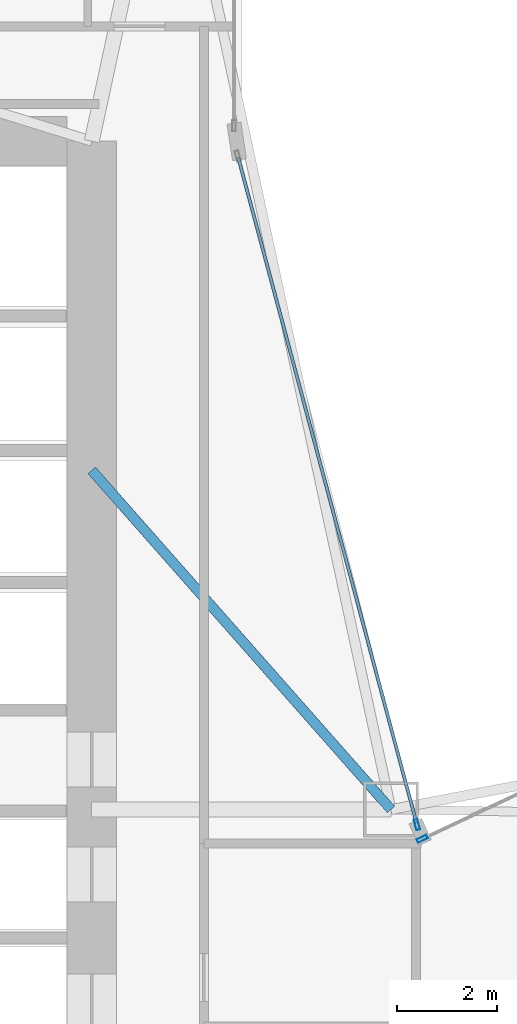
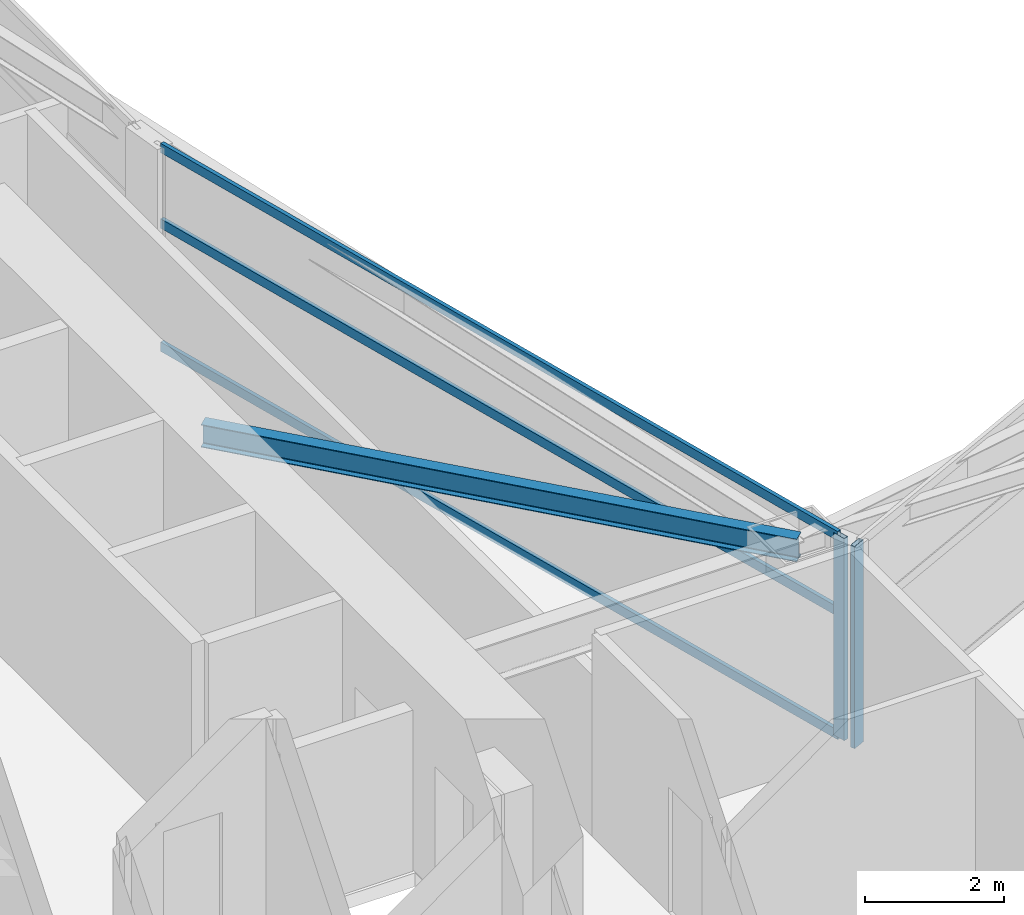
# One storey, part 10 of 30: 5 members, 1 beam, 2 elements without a shape of their own.
"""IFC4 building model written with IfcOpenShell, lengths in metres."""

from ifc_helpers import new_model, si_unit, direction, frame, origin, origin_2d, place, context, subcontext, project, spatial, hollow_rectangle, i_section, extrude, material, layer, layer_set, material_profile, profile_set, type_object, element, aggregate, save


model = new_model("IFC4")

# Units and contexts
model_context = context("Model", 3, precision=1e-05, world=origin(), true_north=direction((0.0, 1.0)))
body_context = subcontext(model_context, "Body", "Model", "MODEL_VIEW")
ifc_project = project(units=[si_unit("LENGTHUNIT", "METRE"), si_unit("AREAUNIT", "SQUARE_METRE"), si_unit("VOLUMEUNIT", "CUBIC_METRE"), si_unit("PLANEANGLEUNIT", "RADIAN"), si_unit("MASSUNIT", "GRAM", prefix="KILO")], contexts=[model_context])

# Site, building, storey
site_placement = place(None, origin())
site = spatial("IfcSite", under=ifc_project, at=site_placement, CompositionType="ELEMENT")
building_placement = place(site_placement, origin())
building = spatial("IfcBuilding", under=site, at=building_placement, Name="Calvorn Quay Hotel", CompositionType="ELEMENT")
storey_placement = place(building_placement, frame((0.0, 0.0, 27.0)))
storey = spatial("IfcBuildingStorey", under=building, at=storey_placement, Name="L05", CompositionType="ELEMENT", Elevation=27.0)

# Beam
ifc_material_1 = material(Name="Steel Q355B", Category="steel")
ifc_material_profile_1 = material_profile(ifc_material_1, i_section(OverallWidth=0.199951171875, OverallDepth=0.39990234375, WebThickness=0.008056640625, FlangeThickness=0.012939453125, FilletRadius=0.01611328125, at=origin_2d()), Name="HN400x200x8x13")
ifc_profile_set_1 = profile_set([ifc_material_profile_1], Name="Steel Q355B")
beam_type = type_object("IfcBeamType", Name="BM-JOIST-TYP", PredefinedType="JOIST", material=ifc_profile_set_1)
beam_placement = place(storey_placement, frame((15.0, 31.800048828125, 3.340087890625), z_axis=(0.661618965899, -0.749840212287, 0.0), x_axis=(0.749840212287, 0.661618965899, 0.0)))
element("IfcBeam", 1, at=beam_placement, inside=storey, type_object=beam_type, Name="Beam BJ-L05-C1", PredefinedType="JOIST", context=body_context, shape_type="SweptSolid", body=[
    extrude(i_section(OverallWidth=0.199951171875, OverallDepth=0.39990234375, WebThickness=0.008056640625, FlangeThickness=0.012939453125, FilletRadius=0.01611328125, at=origin_2d()), origin(), (0.0, 0.0, 1.0), 9.068603515625),
])

# Curtain wall, member
ifc_material_2 = material(Name="Pale Anodised Aluminium and Low-E Glass", Category="aluminium")
ifc_layer = layer(ifc_material_2, 0.219970703125)
ifc_layer_set = layer_set([ifc_layer], Name="CW-SYS-Z1")
curtain_wall_type = type_object("IfcCurtainWallType", Name="CW-SYS-Z1", PredefinedType="NOTDEFINED", material=ifc_layer_set)
curtain_wall_1_placement = place(storey_placement, origin())
curtain_wall_1 = element("IfcCurtainWall", 2, at=curtain_wall_1_placement, inside=storey, type_object=curtain_wall_type, Name="Inner Court Curtain Wall L05-NE1", PredefinedType="NOTDEFINED")
ifc_material_3 = material(Name="Pale Anodised Aluminium 6063-T6", Category="aluminium")
ifc_material_profile_2 = material_profile(ifc_material_3, hollow_rectangle(XDim=0.074951171875, YDim=0.219970703125, WallThickness=0.00439453125, at=origin_2d()), Name="ALU-M220x75x4.5")
ifc_profile_set_2 = profile_set([ifc_material_profile_2], Name="Pale Anodised Aluminium 6063-T6")
member_type_1 = type_object("IfcMemberType", Name="CW-SYS-Z1-MUL", PredefinedType="MULLION", material=ifc_profile_set_2)
member_1_placement = place(storey_placement, frame((21.627197265625, 24.412841796875, 0.0), z_axis=(0.0, 0.0, 1.0), x_axis=(0.427006305415, -0.904248646743, 0.0)))
member_1 = element("IfcMember", 3, at=member_1_placement, type_object=member_type_1, Name="CW-L05-NE1 mullion 4", PredefinedType="MULLION", context=body_context, shape_type="SweptSolid", body=[
    extrude(hollow_rectangle(XDim=0.074951171875, YDim=0.219970703125, WallThickness=0.00439453125, at=origin_2d()), origin(), (0.0, 0.0, 1.0), 3.56005859375),
])
aggregate(curtain_wall_1, [member_1])

# Curtain wall, members
curtain_wall_2_placement = place(storey_placement, origin())
curtain_wall_2 = element("IfcCurtainWall", 4, at=curtain_wall_2_placement, inside=storey, type_object=curtain_wall_type, Name="Inner Court Curtain Wall L05-IC1", PredefinedType="NOTDEFINED")
member_2_placement = place(storey_placement, frame((21.520263671875, 24.698974609375, 0.0), z_axis=(0.0, 0.0, 1.0), x_axis=(-0.96593652056, -0.25877913024, 0.0)))
member_2 = element("IfcMember", 5, at=member_2_placement, type_object=member_type_1, Name="CW-L05-IC1 mullion 1", PredefinedType="MULLION", context=body_context, shape_type="SweptSolid", body=[
    extrude(hollow_rectangle(XDim=0.074951171875, YDim=0.219970703125, WallThickness=0.00439453125, at=origin_2d()), origin(), (0.0, 0.0, 1.0), 3.56005859375),
])
ifc_material_4 = material(Name="Pale Anodised Aluminium 6063-T6", Category="aluminium")
ifc_material_profile_3 = material_profile(ifc_material_4, hollow_rectangle(XDim=0.06494140625, YDim=0.1650390625, WallThickness=0.00341796875, at=origin_2d()), Name="ALU-T165x65x3.5")
ifc_profile_set_3 = profile_set([ifc_material_profile_3], Name="Pale Anodised Aluminium 6063-T6")
member_type_2 = type_object("IfcMemberType", Name="CW-SYS-Z1-TRN", PredefinedType="USERDEFINED", material=ifc_profile_set_3)
member_3_placement = place(storey_placement, frame((21.512451171875, 24.72802734375, 0.030029296875), z_axis=(-0.258781136883, 0.965935982969, 0.0), x_axis=(-0.965935982969, -0.258781136883, 0.0)))
member_3 = element("IfcMember", 6, at=member_3_placement, type_object=member_type_2, Name="CW-L05-IC1 transom 1.1", ObjectType="TRANSOM", PredefinedType="USERDEFINED", context=body_context, shape_type="SweptSolid", body=[
    extrude(hollow_rectangle(XDim=0.06494140625, YDim=0.1650390625, WallThickness=0.00341796875, at=origin_2d()), origin(), (0.0, 0.0, 1.0), 13.814453125),
])
member_4_placement = place(storey_placement, frame((21.512451171875, 24.72802734375, 2.199951171875), z_axis=(-0.258781136883, 0.965935982969, 0.0), x_axis=(-0.965935982969, -0.258781136883, 0.0)))
member_4 = element("IfcMember", 7, at=member_4_placement, type_object=member_type_2, Name="CW-L05-IC1 transom 1.2", ObjectType="TRANSOM", PredefinedType="USERDEFINED", context=body_context, shape_type="SweptSolid", body=[
    extrude(hollow_rectangle(XDim=0.06494140625, YDim=0.1650390625, WallThickness=0.00341796875, at=origin_2d()), origin(), (0.0, 0.0, 1.0), 13.814453125),
])
member_5_placement = place(storey_placement, frame((21.512451171875, 24.72802734375, 3.530029296875), z_axis=(-0.258781136883, 0.965935982969, 0.0), x_axis=(-0.965935982969, -0.258781136883, 0.0)))
member_5 = element("IfcMember", 8, at=member_5_placement, type_object=member_type_2, Name="CW-L05-IC1 transom 1.3", ObjectType="TRANSOM", PredefinedType="USERDEFINED", context=body_context, shape_type="SweptSolid", body=[
    extrude(hollow_rectangle(XDim=0.06494140625, YDim=0.1650390625, WallThickness=0.00341796875, at=origin_2d()), origin(), (0.0, 0.0, 1.0), 13.814453125),
])
aggregate(curtain_wall_2, [member_2, member_3, member_4, member_5])

save(model, "model.ifc")
